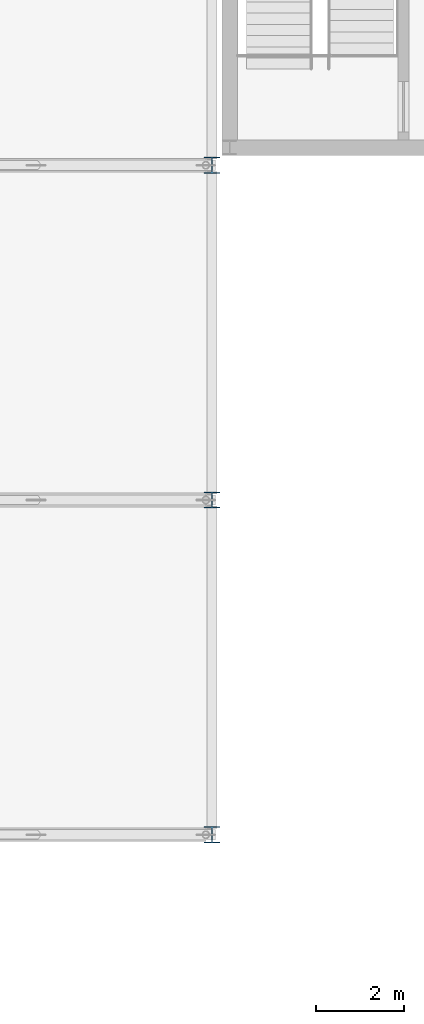
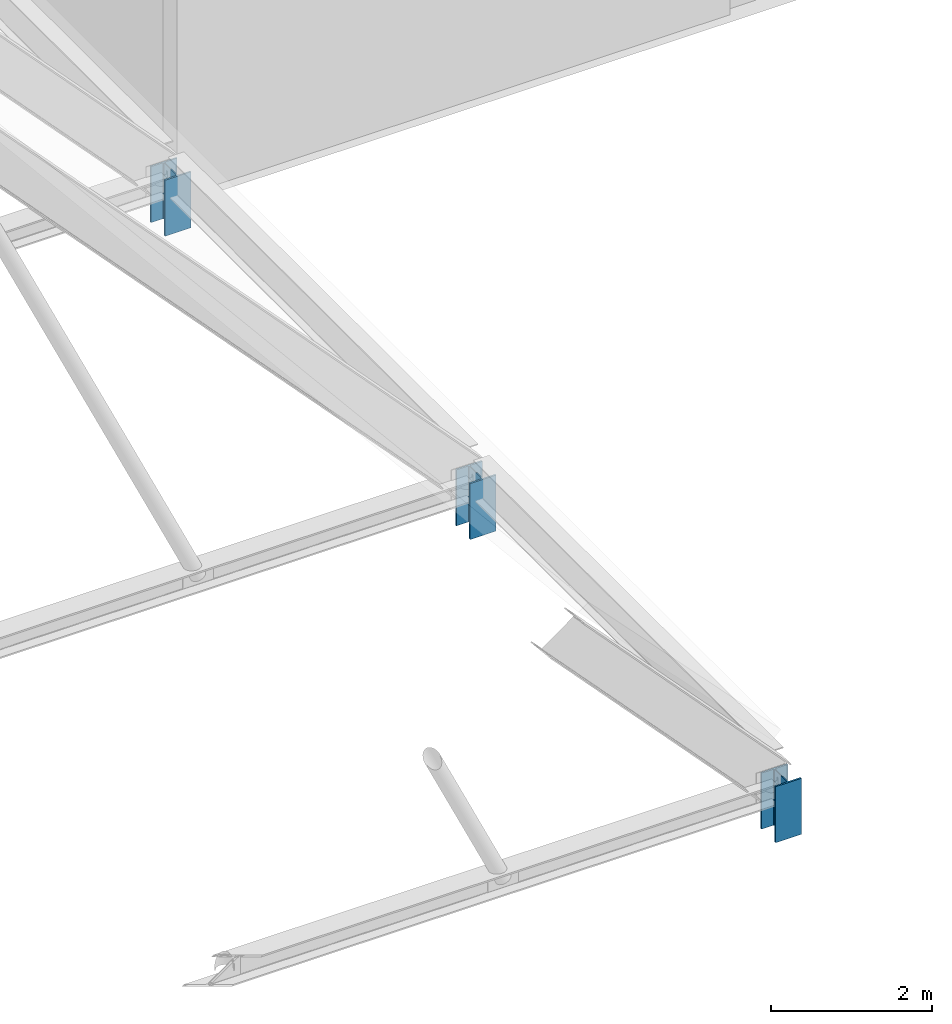
# One storey, part 15 of 85: 3 columns.
"""IFC4 building model written with IfcOpenShell, lengths in metres."""

from ifc_helpers import new_model, si_unit, direction, frame, origin, origin_2d, place, context, subcontext, project, spatial, i_section, extrude, material, material_profile, profile_set, type_object, element, save


model = new_model("IFC4")

# Units and contexts
model_context = context("Model", 3, precision=1e-05, world=origin(), true_north=direction((0.0, 1.0)))
body_context = subcontext(model_context, "Body", "Model", "MODEL_VIEW")
ifc_project = project(units=[si_unit("LENGTHUNIT", "METRE"), si_unit("AREAUNIT", "SQUARE_METRE"), si_unit("VOLUMEUNIT", "CUBIC_METRE"), si_unit("PLANEANGLEUNIT", "RADIAN"), si_unit("MASSUNIT", "GRAM", prefix="KILO")], contexts=[model_context])

# Site, building, storey
site_placement = place(None, origin())
site = spatial("IfcSite", under=ifc_project, at=site_placement, CompositionType="ELEMENT")
building_placement = place(site_placement, origin())
building = spatial("IfcBuilding", under=site, at=building_placement, Name="Zulena Civic Courthouse", CompositionType="ELEMENT")
storey_placement = place(building_placement, frame((0.0, 0.0, 25.199951171875)))
storey = spatial("IfcBuildingStorey", under=building, at=storey_placement, Name="L05", CompositionType="ELEMENT", Elevation=25.199951171875)

# Columns
ifc_material = material(Name="Steel ASTM A992 Grade 50", Category="steel")
ifc_material_profile = material_profile(ifc_material, i_section(OverallWidth=0.373046875, OverallDepth=0.367919921875, WebThickness=0.014892578125, FlangeThickness=0.02392578125, FilletRadius=0.01513671875, at=origin_2d()), Name="W14X120")
ifc_profile_set = profile_set([ifc_material_profile], Name="Steel ASTM A992 Grade 50")
column_type = type_object("IfcColumnType", Name="Col_W14X120", PredefinedType="COLUMN", material=ifc_profile_set)
for number, where, z_axis, x_axis, name in (
    (1, (124.0, 15.199951171875, -0.195068359375), (0.0, 0.0, 1.0), (1.0, 0.0, 0.0), "col:foldV:L05:124.0:15.2"),
    (2, (124.0, 22.800048828125, -0.195068359375), (0.0, 0.0, 1.0), (1.0, 0.0, 0.0), "col:foldV:L05:124.0:22.8"),
    (3, (124.0, 30.39990234375, -0.195068359375), (0.0, 0.0, 1.0), (1.0, 0.0, 0.0), "col:foldV:L05:124.0:30.4"),
):
    element("IfcColumn", number, at=place(storey_placement, frame(where, z_axis=z_axis, x_axis=x_axis)), inside=storey, type_object=column_type, Name=name, PredefinedType="COLUMN", context=body_context, shape_type="SweptSolid", body=[
        extrude(i_section(OverallWidth=0.373046875, OverallDepth=0.367919921875, WebThickness=0.014892578125, FlangeThickness=0.02392578125, FilletRadius=0.01513671875, at=origin_2d()), origin(), (0.0, 0.0, 1.0), 0.851318359375),
    ])

save(model, "model.ifc")
